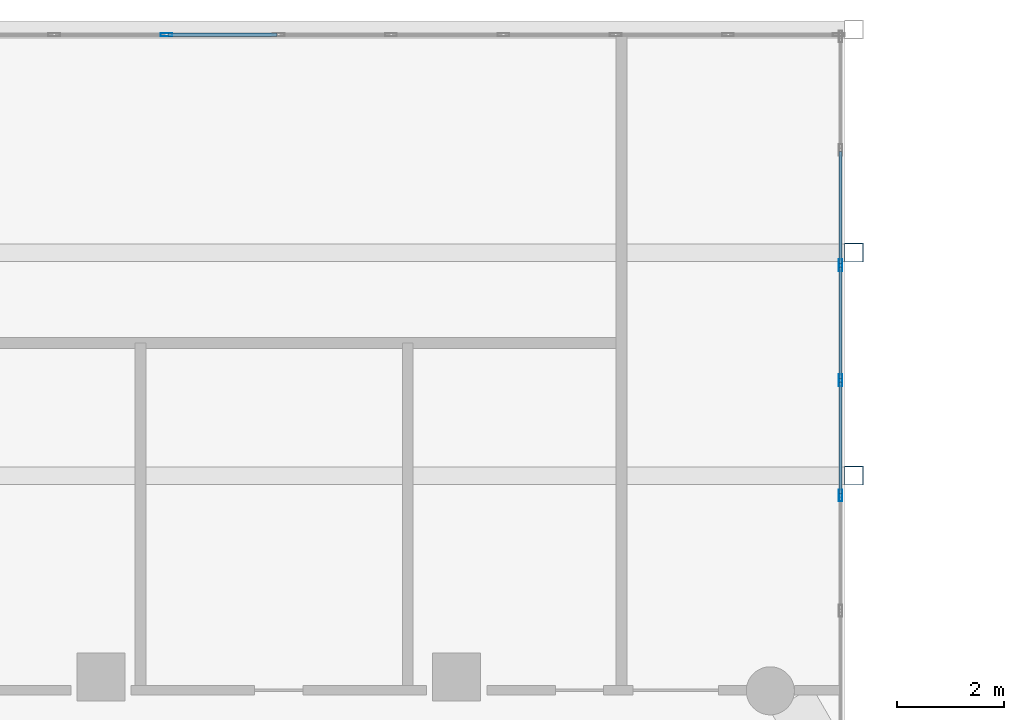
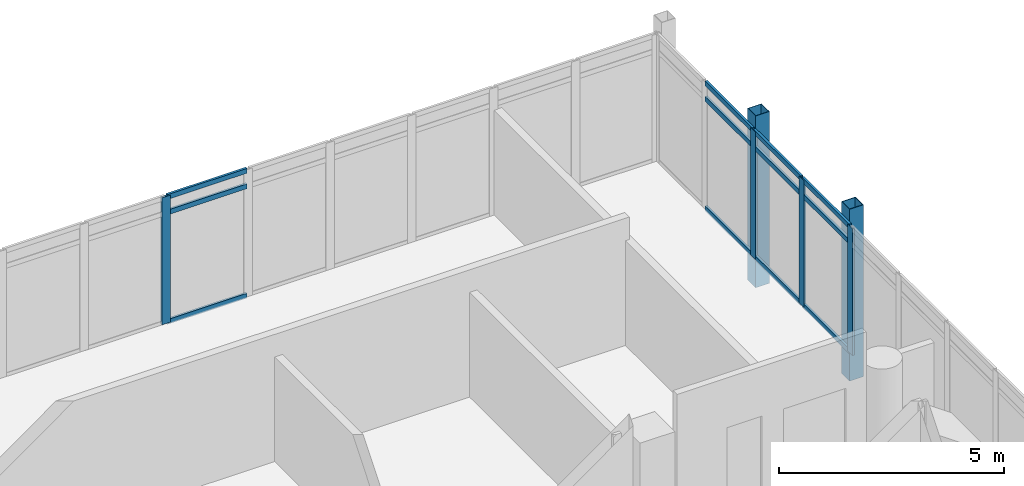
# One storey, part 15 of 25: 18 members, 2 elements without a shape of their own.
"""IFC4 building model written with IfcOpenShell, lengths in metres."""

from ifc_helpers import new_model, si_unit, direction, frame, origin, origin_2d, place, context, subcontext, project, spatial, hollow_rectangle, extrude, material, material_profile, profile_set, type_object, element, aggregate, save


model = new_model("IFC4")

# Units and contexts
model_context = context("Model", 3, precision=1e-05, world=origin(), true_north=direction((0.0, 1.0)))
body_context = subcontext(model_context, "Body", "Model", "MODEL_VIEW")
ifc_project = project(units=[si_unit("LENGTHUNIT", "METRE"), si_unit("AREAUNIT", "SQUARE_METRE"), si_unit("VOLUMEUNIT", "CUBIC_METRE"), si_unit("PLANEANGLEUNIT", "RADIAN"), si_unit("MASSUNIT", "GRAM", prefix="KILO")], contexts=[model_context])

# Site, building, storey
site_placement = place(None, origin())
site = spatial("IfcSite", under=ifc_project, at=site_placement, CompositionType="ELEMENT")
building_placement = place(site_placement, origin())
building = spatial("IfcBuilding", under=site, at=building_placement, Name="Ostrander Bayou Hotel Tower", CompositionType="ELEMENT")
storey_placement = place(building_placement, frame((0.0, 0.0, 233.25)))
storey = spatial("IfcBuildingStorey", under=building, at=storey_placement, Name="L58", CompositionType="ELEMENT", Elevation=233.25)

# Curtain wall, member
ifc_material_1 = material(Name="Aluminium and clear glass", Category="aluminium")
curtain_wall_type = type_object("IfcCurtainWallType", Name="CW-BAR glazed wall", PredefinedType="NOTDEFINED", material=ifc_material_1)
curtain_wall_1_placement = place(storey_placement, origin())
curtain_wall_1 = element("IfcCurtainWall", 1, at=curtain_wall_1_placement, inside=storey, type_object=curtain_wall_type, Name="CW-BAR L58:SB5N:T", PredefinedType="NOTDEFINED")
ifc_material_2 = material(Name="Aluminium", Category="aluminium")
ifc_material_profile_1 = material_profile(ifc_material_2, hollow_rectangle(XDim=0.06005859375, YDim=0.219970703125, WallThickness=0.00390625, at=origin_2d()))
ifc_profile_set_1 = profile_set([ifc_material_profile_1], Name="Aluminium")
member_type_1 = type_object("IfcMemberType", Name="CW-BR mullion 60 x 220 mm", PredefinedType="MULLION", material=ifc_profile_set_1)
member_1_placement = place(storey_placement, frame((-2.1025390625, 28.86669921875, 0.0), z_axis=(0.0, 0.0, 1.0), x_axis=(0.0, 1.0, 0.0)))
member_1 = element("IfcMember", 2, at=member_1_placement, type_object=member_type_1, Name="CW-BAR mullion 5", PredefinedType="MULLION", context=body_context, shape_type="SweptSolid", body=[
    extrude(hollow_rectangle(XDim=0.06005859375, YDim=0.219970703125, WallThickness=0.00390625, at=origin_2d()), origin(), (0.0, 0.0, 1.0), 3.449951171875),
])

# Curtain wall, members
curtain_wall_2_placement = place(storey_placement, origin())
curtain_wall_2 = element("IfcCurtainWall", 3, at=curtain_wall_2_placement, inside=storey, type_object=curtain_wall_type, Name="CW-BAR L58:SB5N:W", PredefinedType="NOTDEFINED")
member_2_placement = place(storey_placement, frame((10.51220703125, 20.24365234375, 0.0), z_axis=(0.0, 0.0, 1.0), x_axis=(-1.0, 0.0, 0.0)))
member_2 = element("IfcMember", 4, at=member_2_placement, type_object=member_type_1, Name="CW-BAR mullion 6", PredefinedType="MULLION", context=body_context, shape_type="SweptSolid", body=[
    extrude(hollow_rectangle(XDim=0.06005859375, YDim=0.219970703125, WallThickness=0.00390625, at=origin_2d()), origin(), (0.0, 0.0, 1.0), 3.449951171875),
])
member_3_placement = place(storey_placement, frame((10.51220703125, 22.3994140625, 0.0), z_axis=(0.0, 0.0, 1.0), x_axis=(-1.0, 0.0, 0.0)))
member_3 = element("IfcMember", 5, at=member_3_placement, type_object=member_type_1, Name="CW-BAR mullion 7", PredefinedType="MULLION", context=body_context, shape_type="SweptSolid", body=[
    extrude(hollow_rectangle(XDim=0.06005859375, YDim=0.219970703125, WallThickness=0.00390625, at=origin_2d()), origin(), (0.0, 0.0, 1.0), 3.449951171875),
])
member_4_placement = place(storey_placement, frame((10.51220703125, 24.55517578125, 0.0), z_axis=(0.0, 0.0, 1.0), x_axis=(-1.0, 0.0, 0.0)))
member_4 = element("IfcMember", 6, at=member_4_placement, type_object=member_type_1, Name="CW-BAR mullion 8", PredefinedType="MULLION", context=body_context, shape_type="SweptSolid", body=[
    extrude(hollow_rectangle(XDim=0.06005859375, YDim=0.219970703125, WallThickness=0.00390625, at=origin_2d()), origin(), (0.0, 0.0, 1.0), 3.449951171875),
])

# Member
ifc_material_3 = material(Name="Aluminium", Category="aluminium")
ifc_material_profile_2 = material_profile(ifc_material_3, hollow_rectangle(XDim=0.06005859375, YDim=0.1298828125, WallThickness=0.00390625, at=origin_2d()))
ifc_profile_set_2 = profile_set([ifc_material_profile_2], Name="Aluminium")
member_type_2 = type_object("IfcMemberType", Name="CW-BR transom 60 x 130 mm", PredefinedType="USERDEFINED", material=ifc_profile_set_2)
member_5_placement = place(storey_placement, frame((-2.072509765625, 28.86669921875, 0.030029296875), z_axis=(1.0, 0.0, 0.0), x_axis=(0.0, 1.0, 0.0)))
member_5 = element("IfcMember", 7, at=member_5_placement, type_object=member_type_2, Name="CW-BAR transom 5.1", ObjectType="TRANSOM", PredefinedType="USERDEFINED", context=body_context, shape_type="SweptSolid", body=[
    extrude(hollow_rectangle(XDim=0.06005859375, YDim=0.1298828125, WallThickness=0.00390625, at=origin_2d()), origin(), (0.0, 0.0, 1.0), 2.04248046875),
])

member_6_placement = place(storey_placement, frame((-2.072509765625, 28.86669921875, 3.0), z_axis=(1.0, 0.0, 0.0), x_axis=(0.0, 1.0, 0.0)))
member_6 = element("IfcMember", 8, at=member_6_placement, type_object=member_type_2, Name="CW-BAR transom 5.2", ObjectType="TRANSOM", PredefinedType="USERDEFINED", context=body_context, shape_type="SweptSolid", body=[
    extrude(hollow_rectangle(XDim=0.06005859375, YDim=0.1298828125, WallThickness=0.00390625, at=origin_2d()), origin(), (0.0, 0.0, 1.0), 2.04248046875),
])

member_7_placement = place(storey_placement, frame((-2.072509765625, 28.86669921875, 3.419921875), z_axis=(1.0, 0.0, 0.0), x_axis=(0.0, 1.0, 0.0)))
member_7 = element("IfcMember", 9, at=member_7_placement, type_object=member_type_2, Name="CW-BAR transom 5.3", ObjectType="TRANSOM", PredefinedType="USERDEFINED", context=body_context, shape_type="SweptSolid", body=[
    extrude(hollow_rectangle(XDim=0.06005859375, YDim=0.1298828125, WallThickness=0.00390625, at=origin_2d()), origin(), (0.0, 0.0, 1.0), 2.04248046875),
])

aggregate(curtain_wall_1, [member_1, member_5, member_6, member_7])

member_8_placement = place(storey_placement, frame((10.51220703125, 20.273681640625, 0.030029296875), z_axis=(0.0, 1.0, 0.0), x_axis=(-1.0, 0.0, 0.0)))
member_8 = element("IfcMember", 10, at=member_8_placement, type_object=member_type_2, Name="CW-BAR transom 6.1", ObjectType="TRANSOM", PredefinedType="USERDEFINED", context=body_context, shape_type="SweptSolid", body=[
    extrude(hollow_rectangle(XDim=0.06005859375, YDim=0.1298828125, WallThickness=0.00390625, at=origin_2d()), origin(), (0.0, 0.0, 1.0), 2.095703125),
])

member_9_placement = place(storey_placement, frame((10.51220703125, 20.273681640625, 3.0), z_axis=(0.0, 1.0, 0.0), x_axis=(-1.0, 0.0, 0.0)))
member_9 = element("IfcMember", 11, at=member_9_placement, type_object=member_type_2, Name="CW-BAR transom 6.2", ObjectType="TRANSOM", PredefinedType="USERDEFINED", context=body_context, shape_type="SweptSolid", body=[
    extrude(hollow_rectangle(XDim=0.06005859375, YDim=0.1298828125, WallThickness=0.00390625, at=origin_2d()), origin(), (0.0, 0.0, 1.0), 2.095703125),
])

member_10_placement = place(storey_placement, frame((10.51220703125, 20.273681640625, 3.419921875), z_axis=(0.0, 1.0, 0.0), x_axis=(-1.0, 0.0, 0.0)))
member_10 = element("IfcMember", 12, at=member_10_placement, type_object=member_type_2, Name="CW-BAR transom 6.3", ObjectType="TRANSOM", PredefinedType="USERDEFINED", context=body_context, shape_type="SweptSolid", body=[
    extrude(hollow_rectangle(XDim=0.06005859375, YDim=0.1298828125, WallThickness=0.00390625, at=origin_2d()), origin(), (0.0, 0.0, 1.0), 2.095703125),
])

member_11_placement = place(storey_placement, frame((10.51220703125, 22.429443359375, 0.030029296875), z_axis=(0.0, 1.0, 0.0), x_axis=(-1.0, 0.0, 0.0)))
member_11 = element("IfcMember", 13, at=member_11_placement, type_object=member_type_2, Name="CW-BAR transom 7.1", ObjectType="TRANSOM", PredefinedType="USERDEFINED", context=body_context, shape_type="SweptSolid", body=[
    extrude(hollow_rectangle(XDim=0.06005859375, YDim=0.1298828125, WallThickness=0.00390625, at=origin_2d()), origin(), (0.0, 0.0, 1.0), 2.095703125),
])

member_12_placement = place(storey_placement, frame((10.51220703125, 22.429443359375, 3.0), z_axis=(0.0, 1.0, 0.0), x_axis=(-1.0, 0.0, 0.0)))
member_12 = element("IfcMember", 14, at=member_12_placement, type_object=member_type_2, Name="CW-BAR transom 7.2", ObjectType="TRANSOM", PredefinedType="USERDEFINED", context=body_context, shape_type="SweptSolid", body=[
    extrude(hollow_rectangle(XDim=0.06005859375, YDim=0.1298828125, WallThickness=0.00390625, at=origin_2d()), origin(), (0.0, 0.0, 1.0), 2.095703125),
])

member_13_placement = place(storey_placement, frame((10.51220703125, 22.429443359375, 3.419921875), z_axis=(0.0, 1.0, 0.0), x_axis=(-1.0, 0.0, 0.0)))
member_13 = element("IfcMember", 15, at=member_13_placement, type_object=member_type_2, Name="CW-BAR transom 7.3", ObjectType="TRANSOM", PredefinedType="USERDEFINED", context=body_context, shape_type="SweptSolid", body=[
    extrude(hollow_rectangle(XDim=0.06005859375, YDim=0.1298828125, WallThickness=0.00390625, at=origin_2d()), origin(), (0.0, 0.0, 1.0), 2.095703125),
])

member_14_placement = place(storey_placement, frame((10.51220703125, 24.585205078125, 0.030029296875), z_axis=(0.0, 1.0, 0.0), x_axis=(-1.0, 0.0, 0.0)))
member_14 = element("IfcMember", 16, at=member_14_placement, type_object=member_type_2, Name="CW-BAR transom 8.1", ObjectType="TRANSOM", PredefinedType="USERDEFINED", context=body_context, shape_type="SweptSolid", body=[
    extrude(hollow_rectangle(XDim=0.06005859375, YDim=0.1298828125, WallThickness=0.00390625, at=origin_2d()), origin(), (0.0, 0.0, 1.0), 2.095703125),
])

member_15_placement = place(storey_placement, frame((10.51220703125, 24.585205078125, 3.0), z_axis=(0.0, 1.0, 0.0), x_axis=(-1.0, 0.0, 0.0)))
member_15 = element("IfcMember", 17, at=member_15_placement, type_object=member_type_2, Name="CW-BAR transom 8.2", ObjectType="TRANSOM", PredefinedType="USERDEFINED", context=body_context, shape_type="SweptSolid", body=[
    extrude(hollow_rectangle(XDim=0.06005859375, YDim=0.1298828125, WallThickness=0.00390625, at=origin_2d()), origin(), (0.0, 0.0, 1.0), 2.095703125),
])

member_16_placement = place(storey_placement, frame((10.51220703125, 24.585205078125, 3.419921875), z_axis=(0.0, 1.0, 0.0), x_axis=(-1.0, 0.0, 0.0)))
member_16 = element("IfcMember", 18, at=member_16_placement, type_object=member_type_2, Name="CW-BAR transom 8.3", ObjectType="TRANSOM", PredefinedType="USERDEFINED", context=body_context, shape_type="SweptSolid", body=[
    extrude(hollow_rectangle(XDim=0.06005859375, YDim=0.1298828125, WallThickness=0.00390625, at=origin_2d()), origin(), (0.0, 0.0, 1.0), 2.095703125),
])

aggregate(curtain_wall_2, [member_2, member_3, member_4, member_8, member_9, member_10, member_11, member_12, member_13, member_14, member_15, member_16])

# Members
ifc_material_4 = material(Name="Steel ASTM A500 Gr C", Category="steel")
ifc_material_profile_3 = material_profile(ifc_material_4, hollow_rectangle(XDim=0.355712890625, YDim=0.355712890625, WallThickness=0.0146484375, at=origin_2d()))
ifc_profile_set_3 = profile_set([ifc_material_profile_3], Name="Steel ASTM A500 Gr C")
member_type_3 = type_object("IfcMemberType", Name="TH1 bar hanger HSS14x14x5/8", PredefinedType="POST", material=ifc_profile_set_3)
for number, where, z_axis, x_axis, name in (
    (19, (10.764892578125, 24.790283203125, -0.9111328125), (0.0, 0.0, 1.0), (1.0, 0.0, 0.0), "TH1 SB5WB H2-4"),
    (20, (10.764892578125, 20.6142578125, -0.9111328125), (0.0, 0.0, 1.0), (1.0, 0.0, 0.0), "TH1 SB5WB H3-4"),
):
    element("IfcMember", number, at=place(storey_placement, frame(where, z_axis=z_axis, x_axis=x_axis)), inside=storey, type_object=member_type_3, Name=name, PredefinedType="POST", context=body_context, shape_type="SweptSolid", body=[
        extrude(hollow_rectangle(XDim=0.355712890625, YDim=0.355712890625, WallThickness=0.0146484375, at=origin_2d()), origin(), (0.0, 0.0, 1.0), 4.6611328125),
    ])

save(model, "model.ifc")
